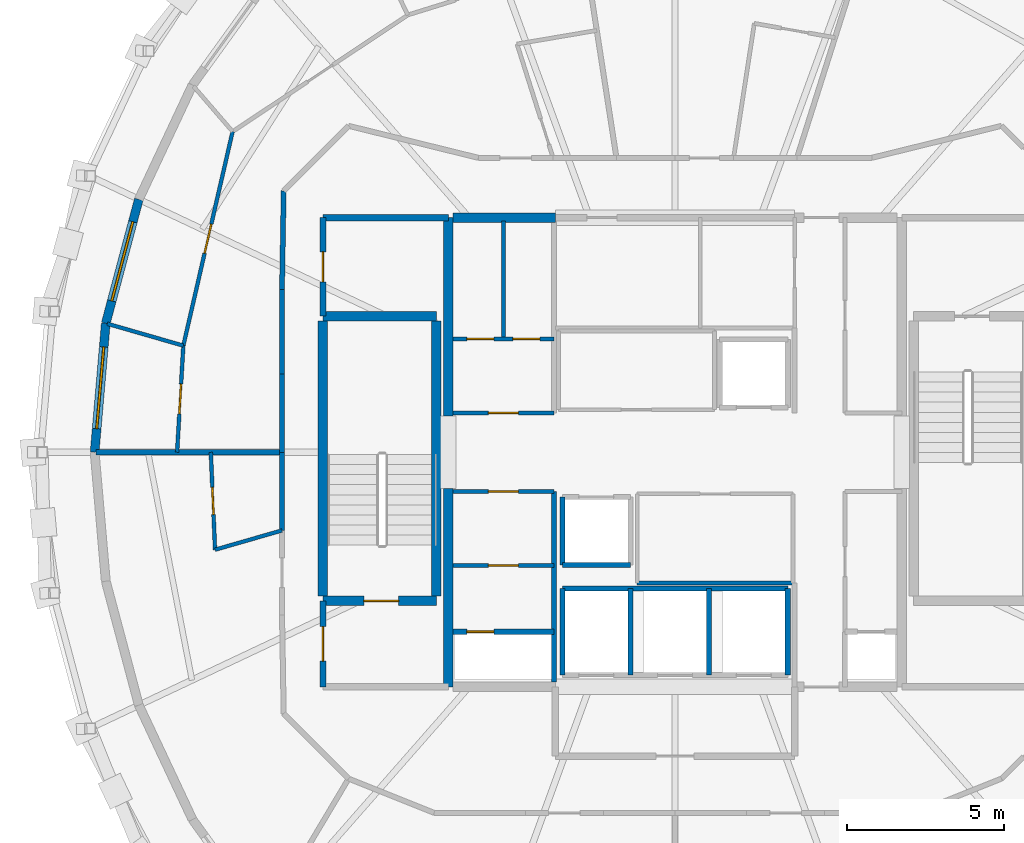
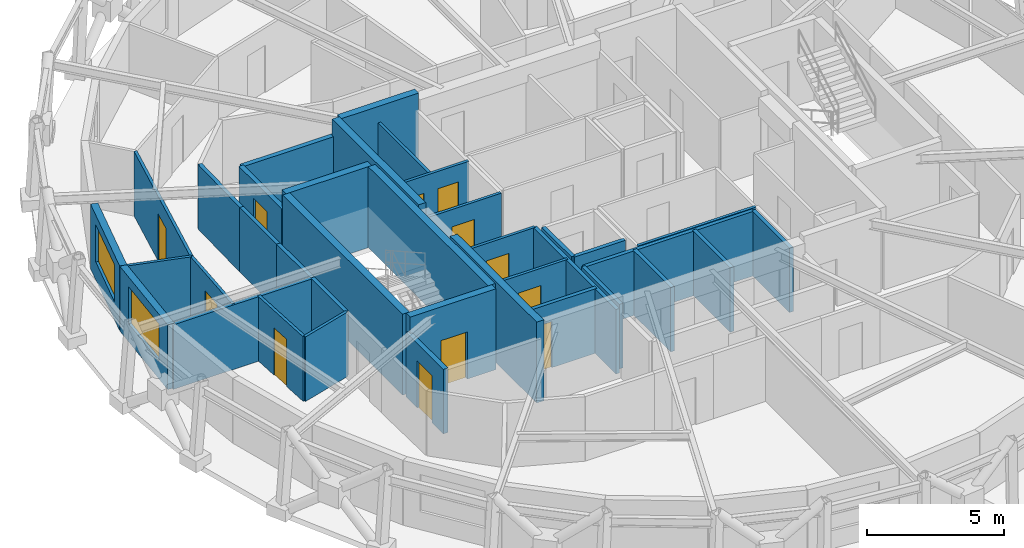
# One storey, part 12 of 16: 37 walls, 12 doors, 2 windows, 14 openings.
"""IFC4 building model written with IfcOpenShell, lengths in metres."""

from ifc_helpers import new_model, si_unit, direction, frame, frame_2d, origin, place, context, subcontext, project, spatial, rectangle, extrude, material, layer, layer_set, type_object, element, fill, save


model = new_model("IFC4")

# Units and contexts
model_context = context("Model", 3, precision=1e-05, world=origin(), true_north=direction((0.0, 1.0)))
body_context = subcontext(model_context, "Body", "Model", "MODEL_VIEW")
ifc_project = project(units=[si_unit("LENGTHUNIT", "METRE"), si_unit("AREAUNIT", "SQUARE_METRE"), si_unit("VOLUMEUNIT", "CUBIC_METRE"), si_unit("PLANEANGLEUNIT", "RADIAN"), si_unit("MASSUNIT", "GRAM", prefix="KILO")], contexts=[model_context])

# Site, building, storey
site_placement = place(None, origin())
site = spatial("IfcSite", under=ifc_project, at=site_placement, CompositionType="ELEMENT")
building_placement = place(site_placement, origin())
building = spatial("IfcBuilding", under=site, at=building_placement, Name="Veldorina Hangang Commons", CompositionType="ELEMENT")
storey_placement = place(building_placement, frame((0.0, 0.0, 283.199951171875)))
storey = spatial("IfcBuildingStorey", under=building, at=storey_placement, Name="L74", CompositionType="ELEMENT", Elevation=283.199951171875)

# Walls
ifc_material_1 = material(Name="Concrete C50/60", Category="concrete")
ifc_layer_1 = layer(ifc_material_1, 0.300048828125)
ifc_layer_set_1 = layer_set([ifc_layer_1], Name="Concrete C50/60")
wall_type_1 = type_object("IfcWallType", Name="CW-RC300-C50", PredefinedType="SHEAR", material=ifc_layer_set_1)
for number, where, z_axis, x_axis, name in (
    (1, (24.800048828125, 16.550048828125, 0.0), (0.0, 0.0, 1.0), (0.0, 1.0, 0.0), "L74 W south core shear wall"),
    (2, (24.800048828125, 25.14990234375, 0.0), (0.0, 0.0, 1.0), (0.0, 1.0, 0.0), "L74 W north core shear wall"),
):
    element("IfcWall", number, at=place(storey_placement, frame(where, z_axis=z_axis, x_axis=x_axis)), inside=storey, type_object=wall_type_1, Name=name, PredefinedType="SHEAR", context=body_context, shape_type="SweptSolid", body=[
        extrude(rectangle(XDim=6.300048828125, YDim=0.300048828125, at=frame_2d((3.14990234375, 0.0))), origin(), (0.0, 0.0, 1.0), 3.60009765625),
    ])
wall_1_placement = place(storey_placement, frame((24.949951171875, 31.449951171875, 0.0), z_axis=(0.0, 0.0, 1.0), x_axis=(1.0, 0.0, 0.0)))
element("IfcWall", 3, at=wall_1_placement, inside=storey, type_object=wall_type_1, Name="L74 north-west core shear wall", PredefinedType="SHEAR", context=body_context, shape_type="SweptSolid", body=[
    extrude(rectangle(XDim=3.25, YDim=0.300048828125, at=frame_2d((1.625, 0.0))), origin(), (0.0, 0.0, 1.0), 3.60009765625),
])

# Wall, opening, window
ifc_material_2 = material(Name="Stone Roman Travertine", Category="masonry")
ifc_layer_2 = layer(ifc_material_2, 0.280029296875)
ifc_layer_set_2 = layer_set([ifc_layer_2], Name="Stone Roman Travertine")
wall_type_2 = type_object("IfcWallType", Name="EW-TRAV-280", PredefinedType="STANDARD", material=ifc_layer_set_2)
wall_2_placement = place(storey_placement, frame((14.97314453125, 32.031982421875, 0.0), z_axis=(0.0, 0.0, 1.0), x_axis=(-0.257409045533, -0.966302531963, 0.0)))
wall_2 = element("IfcWall", 4, at=wall_2_placement, inside=storey, type_object=wall_type_2, Name="L74 travertine facade wall 14", PredefinedType="STANDARD", context=body_context, shape_type="SweptSolid", body=[
    extrude(rectangle(XDim=4.074462890625, YDim=0.280029296875, at=frame_2d((2.037109375, 0.0))), origin(), (0.0, 0.0, 1.0), 2.880126953125),
])
opening_1_placement = place(wall_2_placement, frame((0.7373046875, 0.0, 0.800048828125)))
opening_1 = element("IfcOpeningElement", 5, at=opening_1_placement, cuts=wall_2, Name="Opening W-02", PredefinedType="OPENING", context=body_context, shape_type="SweptSolid", body=[
    extrude(rectangle(XDim=2.60009765625, YDim=1.64990234375, at=frame_2d((1.300048828125, 0.824951171875))), frame((0.0, 0.14990234375, 0.0), z_axis=(0.0, -1.0, 0.0), x_axis=(1.0, 0.0, 0.0)), (0.0, 0.0, 1.0), 0.300048828125),
])
ifc_material_3 = material(Name="Glass Low-E Triple IGU", Category="glass")
window_type = type_object("IfcWindowType", Name="WIN-TWR-2600", PartitioningType="SINGLE_PANEL", PredefinedType="WINDOW", material=ifc_material_3)
window_1_placement = place(opening_1_placement, origin())
window_1 = element("IfcWindow", 6, at=window_1_placement, inside=storey, type_object=window_type, Name="L74 facade window 14", OverallHeight=1.64990234375, OverallWidth=2.60009765625, PartitioningType="SINGLE_PANEL", PredefinedType="WINDOW", context=body_context, shape_type="SweptSolid", body=[
    extrude(rectangle(XDim=2.60009765625, YDim=1.64990234375, at=frame_2d((1.300048828125, 0.824951171875))), frame((0.0, 0.030029296875, 0.0), z_axis=(0.0, -1.0, 0.0), x_axis=(1.0, 0.0, 0.0)), (0.0, 0.0, 1.0), 0.06005859375),
])
fill(opening_1, window_1)

wall_3_placement = place(storey_placement, frame((13.92431640625, 28.0947265625, 0.0), z_axis=(0.0, 0.0, 1.0), x_axis=(-0.086132326102, -0.996283705779, 0.0)))
wall_3 = element("IfcWall", 7, at=wall_3_placement, inside=storey, type_object=wall_type_2, Name="L74 travertine facade wall 15", PredefinedType="STANDARD", context=body_context, shape_type="SweptSolid", body=[
    extrude(rectangle(XDim=4.110107421875, YDim=0.280029296875, at=frame_2d((2.05517578125, 0.0))), origin(), (0.0, 0.0, 1.0), 2.880126953125),
])
opening_2_placement = place(wall_3_placement, frame((0.7548828125, 0.0, 0.800048828125)))
opening_2 = element("IfcOpeningElement", 8, at=opening_2_placement, cuts=wall_3, Name="Opening W-02", PredefinedType="OPENING", context=body_context, shape_type="SweptSolid", body=[
    extrude(rectangle(XDim=2.60009765625, YDim=1.64990234375, at=frame_2d((1.300048828125, 0.824951171875))), frame((0.0, 0.14990234375, 0.0), z_axis=(0.0, -1.0, 0.0), x_axis=(1.0, 0.0, 0.0)), (0.0, 0.0, 1.0), 0.300048828125),
])
window_2_placement = place(opening_2_placement, origin())
window_2 = element("IfcWindow", 9, at=window_2_placement, inside=storey, type_object=window_type, Name="L74 facade window 15", OverallHeight=1.64990234375, OverallWidth=2.60009765625, PartitioningType="SINGLE_PANEL", PredefinedType="WINDOW", context=body_context, shape_type="SweptSolid", body=[
    extrude(rectangle(XDim=2.60009765625, YDim=1.64990234375, at=frame_2d((1.300048828125, 0.824951171875))), frame((0.0, 0.030029296875, 0.0), z_axis=(0.0, -1.0, 0.0), x_axis=(1.0, 0.0, 0.0)), (0.0, 0.0, 1.0), 0.06005859375),
])
fill(opening_2, window_2)

# Walls
ifc_layer_3 = layer(ifc_material_1, 0.300048828125)
ifc_layer_set_3 = layer_set([ifc_layer_3], Name="Concrete C50/60")
wall_type_3 = type_object("IfcWallType", Name="SW-STAIR-300", PredefinedType="SHEAR", material=ifc_layer_set_3)
for number, where, z_axis, x_axis, name in (
    (10, (20.820068359375, 19.429931640625, 0.0), (0.0, 0.0, 1.0), (0.0, 1.0, 0.0), "L74 ST1 outer stair shear wall"),
    (11, (24.419921875, 19.429931640625, 0.0), (0.0, 0.0, 1.0), (0.0, 1.0, 0.0), "L74 ST1 inner stair shear wall"),
):
    element("IfcWall", number, at=place(storey_placement, frame(where, z_axis=z_axis, x_axis=x_axis)), inside=storey, type_object=wall_type_3, Name=name, PredefinedType="SHEAR", context=body_context, shape_type="SweptSolid", body=[
        extrude(rectangle(XDim=8.739990234375, YDim=0.300048828125, at=frame_2d((4.3701171875, 0.0))), origin(), (0.0, 0.0, 1.0), 3.60009765625),
    ])

# Wall, opening, door
wall_4_placement = place(storey_placement, frame((20.820068359375, 19.280029296875, 0.0), z_axis=(0.0, 0.0, 1.0), x_axis=(1.0, 0.0, 0.0)))
wall_4 = element("IfcWall", 12, at=wall_4_placement, inside=storey, type_object=wall_type_3, Name="L74 ST1 south stair shear wall", PredefinedType="SHEAR", context=body_context, shape_type="SweptSolid", body=[
    extrude(rectangle(XDim=3.599853515625, YDim=0.300048828125, at=frame_2d((1.7998046875, 0.0))), origin(), (0.0, 0.0, 1.0), 3.60009765625),
])
opening_3_placement = place(wall_4_placement, frame((1.300048828125, 0.0, 0.0)))
opening_3 = element("IfcOpeningElement", 13, at=opening_3_placement, cuts=wall_4, Name="Opening D-08", PredefinedType="OPENING", context=body_context, shape_type="SweptSolid", body=[
    extrude(rectangle(XDim=1.10009765625, YDim=2.10009765625, at=frame_2d((0.550048828125, 1.050048828125))), frame((0.0, 0.16015625, 0.0), z_axis=(0.0, -1.0, 0.0), x_axis=(1.0, 0.0, 0.0)), (0.0, 0.0, 1.0), 0.320068359375),
])
ifc_material_4 = material(Name="Steel Fire-Rated Smoke Seal", Category="steel")
door_type_1 = type_object("IfcDoorType", Name="DR-FIRE-1100", OperationType="SINGLE_SWING_RIGHT", PredefinedType="DOOR", material=ifc_material_4)
door_1_placement = place(opening_3_placement, origin())
door_1 = element("IfcDoor", 14, at=door_1_placement, inside=storey, type_object=door_type_1, Name="L74 Special Escape Stair ST-1 door", OperationType="SINGLE_SWING_LEFT", OverallHeight=2.10009765625, OverallWidth=1.10009765625, PredefinedType="DOOR", context=body_context, shape_type="SweptSolid", body=[
    extrude(rectangle(XDim=1.10009765625, YDim=2.10009765625, at=frame_2d((0.550048828125, 1.050048828125))), frame((0.0, 0.02490234375, 0.0), z_axis=(0.0, -1.0, 0.0), x_axis=(1.0, 0.0, 0.0)), (0.0, 0.0, 1.0), 0.050048828125),
])
fill(opening_3, door_1)

# Walls
wall_5_placement = place(storey_placement, frame((20.820068359375, 28.320068359375, 0.0), z_axis=(0.0, 0.0, 1.0), x_axis=(1.0, 0.0, 0.0)))
element("IfcWall", 15, at=wall_5_placement, inside=storey, type_object=wall_type_3, Name="L74 ST1 north stair shear wall", PredefinedType="SHEAR", context=body_context, shape_type="SweptSolid", body=[
    extrude(rectangle(XDim=3.599853515625, YDim=0.300048828125, at=frame_2d((1.7998046875, 0.0))), origin(), (0.0, 0.0, 1.0), 3.60009765625),
])
ifc_material_5 = material(Name="Gypsum Fire-Rated Twin Stud Wall", Category="gypsum")
ifc_layer_4 = layer(ifc_material_5, 0.159912109375)
ifc_layer_set_4 = layer_set([ifc_layer_4], Name="Gypsum Fire-Rated Twin Stud Wall")
wall_type_4 = type_object("IfcWallType", Name="WL-FIRE-160", PredefinedType="SOLIDWALL", material=ifc_layer_set_4)
for number, where, z_axis, x_axis, name in (
    (16, (28.419921875, 20.419921875, 0.0), (0.0, 0.0, 1.0), (1.0, 0.0, 0.0), "L74 Shuttle-high rear shaft wall 020"),
    (17, (28.419921875, 20.419921875, 0.0), (0.0, 0.0, 1.0), (0.0, 1.0, 0.0), "L74 PL-H2 west shaft wall 021"),
):
    element("IfcWall", number, at=place(storey_placement, frame(where, z_axis=z_axis, x_axis=x_axis)), inside=storey, type_object=wall_type_4, Name=name, PredefinedType="SOLIDWALL", context=body_context, shape_type="SweptSolid", body=[
        extrude(rectangle(XDim=2.16015625, YDim=0.159912109375, at=frame_2d((1.080078125, 0.0))), origin(), (0.0, 0.0, 1.0), 2.8701171875),
    ])
wall_6_placement = place(storey_placement, frame((28.419921875, 19.679931640625, 0.0), z_axis=(0.0, 0.0, 1.0), x_axis=(1.0, 0.0, 0.0)))
element("IfcWall", 18, at=wall_6_placement, inside=storey, type_object=wall_type_4, Name="L74 Emergency rear shaft wall 024", PredefinedType="SOLIDWALL", context=body_context, shape_type="SweptSolid", body=[
    extrude(rectangle(XDim=7.16015625, YDim=0.159912109375, at=frame_2d((3.580078125, 0.0))), origin(), (0.0, 0.0, 1.0), 2.8701171875),
])
for number, where, z_axis, x_axis, name in (
    (19, (28.419921875, 16.919921875, 0.0), (0.0, 0.0, 1.0), (0.0, 1.0, 0.0), "L74 FFL-1 west shaft wall 025"),
    (20, (30.580078125, 16.919921875, 0.0), (0.0, 0.0, 1.0), (0.0, 1.0, 0.0), "L74 FFL-1 east shaft wall 026"),
    (21, (33.080078125, 16.919921875, 0.0), (0.0, 0.0, 1.0), (0.0, 1.0, 0.0), "L74 FFL-2 east shaft wall 027"),
    (22, (35.580078125, 16.919921875, 0.0), (0.0, 0.0, 1.0), (0.0, 1.0, 0.0), "L74 EVL-1 east shaft wall 028"),
):
    element("IfcWall", number, at=place(storey_placement, frame(where, z_axis=z_axis, x_axis=x_axis)), inside=storey, type_object=wall_type_4, Name=name, PredefinedType="SOLIDWALL", context=body_context, shape_type="SweptSolid", body=[
        extrude(rectangle(XDim=2.760009765625, YDim=0.159912109375, at=frame_2d((1.3798828125, 0.0))), origin(), (0.0, 0.0, 1.0), 2.8701171875),
    ])

# Wall, opening, door
wall_7_placement = place(storey_placement, frame((24.949951171875, 18.300048828125, 0.0), z_axis=(0.0, 0.0, 1.0), x_axis=(1.0, 0.0, 0.0)))
wall_7 = element("IfcWall", 23, at=wall_7_placement, inside=storey, type_object=wall_type_4, Name="L74 Electrical riser wall 041", PredefinedType="SOLIDWALL", context=body_context, shape_type="SweptSolid", body=[
    extrude(rectangle(XDim=3.199951171875, YDim=0.159912109375, at=frame_2d((1.60009765625, 0.0))), origin(), (0.0, 0.0, 1.0), 2.8701171875),
])
opening_4_placement = place(wall_7_placement, frame((0.43994140625, 0.0, 0.0)))
opening_4 = element("IfcOpeningElement", 24, at=opening_4_placement, cuts=wall_7, Name="Opening D-12", PredefinedType="OPENING", context=body_context, shape_type="SweptSolid", body=[
    extrude(rectangle(XDim=0.860107421875, YDim=2.050048828125, at=frame_2d((0.43017578125, 1.02490234375))), frame((0.0, 0.08984375, 0.0), z_axis=(0.0, -1.0, 0.0), x_axis=(1.0, 0.0, 0.0)), (0.0, 0.0, 1.0), 0.179931640625),
])
ifc_material_6 = material(Name="Steel Insulated Riser Access", Category="steel")
door_type_2 = type_object("IfcDoorType", Name="DR-TRAP-860", OperationType="SINGLE_SWING_LEFT", PredefinedType="TRAPDOOR", material=ifc_material_6)
door_2_placement = place(opening_4_placement, origin())
door_2 = element("IfcDoor", 25, at=door_2_placement, inside=storey, type_object=door_type_2, Name="L74 Electrical riser access door 015", OperationType="SINGLE_SWING_LEFT", OverallHeight=2.050048828125, OverallWidth=0.860107421875, PredefinedType="TRAPDOOR", context=body_context, shape_type="SweptSolid", body=[
    extrude(rectangle(XDim=0.860107421875, YDim=2.050048828125, at=frame_2d((0.43017578125, 1.02490234375))), frame((0.0, 0.02490234375, 0.0), z_axis=(0.0, -1.0, 0.0), x_axis=(1.0, 0.0, 0.0)), (0.0, 0.0, 1.0), 0.050048828125),
])
fill(opening_4, door_2)

# Walls
wall_8_placement = place(storey_placement, frame((28.14990234375, 16.699951171875, 0.0), z_axis=(0.0, 0.0, 1.0), x_axis=(0.0, 1.0, 0.0)))
element("IfcWall", 26, at=wall_8_placement, inside=storey, type_object=wall_type_4, Name="L74 SW core inner wall 042", PredefinedType="SOLIDWALL", context=body_context, shape_type="SweptSolid", body=[
    extrude(rectangle(XDim=6.050048828125, YDim=0.159912109375, at=frame_2d((3.02490234375, 0.0))), origin(), (0.0, 0.0, 1.0), 2.8701171875),
])
wall_9_placement = place(storey_placement, frame((19.5732421875, 32.30322265625, 0.0), z_axis=(0.0, 0.0, 1.0), x_axis=(-0.016981035134, -0.999855811828, 0.0)))
element("IfcWall", 27, at=wall_9_placement, inside=storey, type_object=wall_type_4, Name="L74 Compact collar outer wall 13 067", PredefinedType="SOLIDWALL", context=body_context, shape_type="SweptSolid", body=[
    extrude(rectangle(XDim=3.13427734375, YDim=0.159912109375, at=frame_2d((1.567138671875, 0.0))), origin(), (0.0, 0.0, 1.0), 2.8701171875),
])
wall_10_placement = place(storey_placement, frame((19.52001953125, 29.16943359375, 0.0), z_axis=(0.0, 0.0, 1.0), x_axis=(0.0, -1.0, 0.0)))
element("IfcWall", 28, at=wall_10_placement, inside=storey, type_object=wall_type_4, Name="L74 Compact collar outer wall 14 068", PredefinedType="SOLIDWALL", context=body_context, shape_type="SweptSolid", body=[
    extrude(rectangle(XDim=2.68701171875, YDim=0.159912109375, at=frame_2d((1.343505859375, 0.0))), origin(), (0.0, 0.0, 1.0), 2.8701171875),
])
for number, where, z_axis, x_axis, name in (
    (29, (19.52001953125, 26.482421875, 0.0), (0.0, 0.0, 1.0), (0.0, -1.0, 0.0), "L74 Compact collar outer wall 15 069"),
    (30, (19.52001953125, 24.0, 0.0), (0.0, 0.0, 1.0), (0.0, -1.0, 0.0), "L74 Compact collar outer wall 16 070"),
):
    element("IfcWall", number, at=place(storey_placement, frame(where, z_axis=z_axis, x_axis=x_axis)), inside=storey, type_object=wall_type_4, Name=name, PredefinedType="SOLIDWALL", context=body_context, shape_type="SweptSolid", body=[
        extrude(rectangle(XDim=2.482421875, YDim=0.159912109375, at=frame_2d((1.2412109375, 0.0))), origin(), (0.0, 0.0, 1.0), 2.8701171875),
    ])
wall_11_placement = place(storey_placement, frame((19.52001953125, 24.0, 0.0), z_axis=(0.0, 0.0, 1.0), x_axis=(-1.0, 0.0, 0.0)))
element("IfcWall", 31, at=wall_11_placement, inside=storey, type_object=wall_type_4, Name="L74 Unit party wall 16 103", PredefinedType="SOLIDWALL", context=body_context, shape_type="SweptSolid", body=[
    extrude(rectangle(XDim=5.899658203125, YDim=0.159912109375, at=frame_2d((2.94970703125, 0.0))), origin(), (0.0, 0.0, 1.0), 2.8701171875),
])

# Wall, opening, door
ifc_material_7 = material(Name="Concrete Blockwork Fire Wall C30/37", Category="masonry")
ifc_layer_5 = layer(ifc_material_7, 0.199951171875)
ifc_layer_set_5 = layer_set([ifc_layer_5], Name="Concrete Blockwork Fire Wall C30/37")
wall_type_5 = type_object("IfcWallType", Name="WL-FIRE-200", PredefinedType="SOLIDWALL", material=ifc_layer_set_5)
wall_12_placement = place(storey_placement, frame((20.820068359375, 16.550048828125, 0.0), z_axis=(0.0, 0.0, 1.0), x_axis=(0.0, 1.0, 0.0)))
wall_12 = element("IfcWall", 32, at=wall_12_placement, inside=storey, type_object=wall_type_5, Name="L74 West vestibule outer wall 001", PredefinedType="SOLIDWALL", context=body_context, shape_type="SweptSolid", body=[
    extrude(rectangle(XDim=2.72998046875, YDim=0.199951171875, at=frame_2d((1.364990234375, 0.0))), origin(), (0.0, 0.0, 1.0), 2.8701171875),
])
opening_5_placement = place(wall_12_placement, frame((0.81494140625, 0.0, 0.0)))
opening_5 = element("IfcOpeningElement", 33, at=opening_5_placement, cuts=wall_12, Name="Opening D-08", PredefinedType="OPENING", context=body_context, shape_type="SweptSolid", body=[
    extrude(rectangle(XDim=1.10009765625, YDim=2.10009765625, at=frame_2d((0.550048828125, 1.050048828125))), frame((0.0, 0.10986328125, 0.0), z_axis=(0.0, -1.0, 0.0), x_axis=(1.0, 0.0, 0.0)), (0.0, 0.0, 1.0), 0.219970703125),
])
door_3_placement = place(opening_5_placement, origin())
door_3 = element("IfcDoor", 34, at=door_3_placement, inside=storey, type_object=door_type_1, Name="L74 West vestibule west door 001", OperationType="SINGLE_SWING_LEFT", OverallHeight=2.10009765625, OverallWidth=1.10009765625, PredefinedType="DOOR", context=body_context, shape_type="SweptSolid", body=[
    extrude(rectangle(XDim=1.10009765625, YDim=2.10009765625, at=frame_2d((0.550048828125, 1.050048828125))), frame((0.0, 0.02490234375, 0.0), z_axis=(0.0, -1.0, 0.0), x_axis=(1.0, 0.0, 0.0)), (0.0, 0.0, 1.0), 0.050048828125),
])
fill(opening_5, door_3)

wall_13_placement = place(storey_placement, frame((20.820068359375, 28.320068359375, 0.0), z_axis=(0.0, 0.0, 1.0), x_axis=(0.0, 1.0, 0.0)))
wall_13 = element("IfcWall", 35, at=wall_13_placement, inside=storey, type_object=wall_type_5, Name="L74 NW core room outer wall 005", PredefinedType="SOLIDWALL", context=body_context, shape_type="SweptSolid", body=[
    extrude(rectangle(XDim=3.1298828125, YDim=0.199951171875, at=frame_2d((1.56494140625, 0.0))), origin(), (0.0, 0.0, 1.0), 2.8701171875),
])
opening_6_placement = place(wall_13_placement, frame((1.090087890625, 0.0, 0.0)))
opening_6 = element("IfcOpeningElement", 36, at=opening_6_placement, cuts=wall_13, Name="Opening D-04", PredefinedType="OPENING", context=body_context, shape_type="SweptSolid", body=[
    extrude(rectangle(XDim=0.949951171875, YDim=2.10009765625, at=frame_2d((0.47509765625, 1.050048828125))), frame((0.0, 0.10986328125, 0.0), z_axis=(0.0, -1.0, 0.0), x_axis=(1.0, 0.0, 0.0)), (0.0, 0.0, 1.0), 0.219970703125),
])
ifc_material_8 = material(Name="Timber Accessible Flush Leaf", Category="wood")
door_type_3 = type_object("IfcDoorType", Name="DR-ACC-950", OperationType="SINGLE_SWING_LEFT", PredefinedType="DOOR", material=ifc_material_8)
door_4_placement = place(opening_6_placement, origin())
door_4 = element("IfcDoor", 37, at=door_4_placement, inside=storey, type_object=door_type_3, Name="L74 NW core WC door 003", OperationType="SINGLE_SWING_LEFT", OverallHeight=2.10009765625, OverallWidth=0.949951171875, PredefinedType="DOOR", context=body_context, shape_type="SweptSolid", body=[
    extrude(rectangle(XDim=0.949951171875, YDim=2.10009765625, at=frame_2d((0.47509765625, 1.050048828125))), frame((0.0, 0.02490234375, 0.0), z_axis=(0.0, -1.0, 0.0), x_axis=(1.0, 0.0, 0.0)), (0.0, 0.0, 1.0), 0.050048828125),
])
fill(opening_6, door_4)

# Walls
wall_14_placement = place(storey_placement, frame((20.820068359375, 31.449951171875, 0.0), z_axis=(0.0, 0.0, 1.0), x_axis=(1.0, 0.0, 0.0)))
element("IfcWall", 38, at=wall_14_placement, inside=storey, type_object=wall_type_5, Name="L74 NW core room north wall 006", PredefinedType="SOLIDWALL", context=body_context, shape_type="SweptSolid", body=[
    extrude(rectangle(XDim=3.97998046875, YDim=0.199951171875, at=frame_2d((1.989990234375, 0.0))), origin(), (0.0, 0.0, 1.0), 2.8701171875),
])
ifc_material_9 = material(Name="Gypsum Acoustic Stud Partition", Category="gypsum")
ifc_layer_6 = layer(ifc_material_9, 0.1201171875)
ifc_layer_set_6 = layer_set([ifc_layer_6], Name="Gypsum Acoustic Stud Partition")
wall_type_6 = type_object("IfcWallType", Name="WL-PART-120", PredefinedType="PARTITIONING", material=ifc_layer_set_6)
wall_15_placement = place(storey_placement, frame((30.800048828125, 19.85009765625, 0.0), z_axis=(0.0, 0.0, 1.0), x_axis=(1.0, 0.0, 0.0)))
element("IfcWall", 39, at=wall_15_placement, inside=storey, type_object=wall_type_6, Name="L74 Merged shuttle south wall 038", PredefinedType="PARTITIONING", context=body_context, shape_type="SweptSolid", body=[
    extrude(rectangle(XDim=4.949951171875, YDim=0.1201171875, at=frame_2d((2.47509765625, 0.0))), origin(), (0.0, 0.0, 1.0), 2.8701171875),
])

# Wall, opening, door
wall_16_placement = place(storey_placement, frame((24.949951171875, 25.25, 0.0), z_axis=(0.0, 0.0, 1.0), x_axis=(1.0, 0.0, 0.0)))
wall_16 = element("IfcWall", 40, at=wall_16_placement, inside=storey, type_object=wall_type_6, Name="L74 NW service south wall 045", PredefinedType="PARTITIONING", context=body_context, shape_type="SweptSolid", body=[
    extrude(rectangle(XDim=3.199951171875, YDim=0.1201171875, at=frame_2d((1.60009765625, 0.0))), origin(), (0.0, 0.0, 1.0), 2.8701171875),
])
opening_7_placement = place(wall_16_placement, frame((1.125, 0.0, 0.0)))
opening_7 = element("IfcOpeningElement", 41, at=opening_7_placement, cuts=wall_16, Name="Opening D-02", PredefinedType="OPENING", context=body_context, shape_type="SweptSolid", body=[
    extrude(rectangle(XDim=0.949951171875, YDim=2.10009765625, at=frame_2d((0.47509765625, 1.050048828125))), frame((0.0, 0.070068359375, 0.0), z_axis=(0.0, -1.0, 0.0), x_axis=(1.0, 0.0, 0.0)), (0.0, 0.0, 1.0), 0.14013671875),
])
ifc_material_10 = material(Name="Timber Solid Core Acoustic", Category="wood")
door_type_4 = type_object("IfcDoorType", Name="DR-INT-950", OperationType="SINGLE_SWING_LEFT", PredefinedType="DOOR", material=ifc_material_10)
door_5_placement = place(opening_7_placement, origin())
door_5 = element("IfcDoor", 42, at=door_5_placement, inside=storey, type_object=door_type_4, Name="L74 Utility vestibule door 017", OperationType="SINGLE_SWING_LEFT", OverallHeight=2.10009765625, OverallWidth=0.949951171875, PredefinedType="DOOR", context=body_context, shape_type="SweptSolid", body=[
    extrude(rectangle(XDim=0.949951171875, YDim=2.10009765625, at=frame_2d((0.47509765625, 1.050048828125))), frame((0.0, 0.02490234375, 0.0), z_axis=(0.0, -1.0, 0.0), x_axis=(1.0, 0.0, 0.0)), (0.0, 0.0, 1.0), 0.050048828125),
])
fill(opening_7, door_5)

wall_17_placement = place(storey_placement, frame((24.949951171875, 22.75, 0.0), z_axis=(0.0, 0.0, 1.0), x_axis=(1.0, 0.0, 0.0)))
wall_17 = element("IfcWall", 43, at=wall_17_placement, inside=storey, type_object=wall_type_6, Name="L74 SW service north wall 046", PredefinedType="PARTITIONING", context=body_context, shape_type="SweptSolid", body=[
    extrude(rectangle(XDim=3.199951171875, YDim=0.1201171875, at=frame_2d((1.60009765625, 0.0))), origin(), (0.0, 0.0, 1.0), 2.8701171875),
])
opening_8_placement = place(wall_17_placement, frame((1.125, 0.0, 0.0)))
opening_8 = element("IfcOpeningElement", 44, at=opening_8_placement, cuts=wall_17, Name="Opening D-02", PredefinedType="OPENING", context=body_context, shape_type="SweptSolid", body=[
    extrude(rectangle(XDim=0.949951171875, YDim=2.10009765625, at=frame_2d((0.47509765625, 1.050048828125))), frame((0.0, 0.070068359375, 0.0), z_axis=(0.0, -1.0, 0.0), x_axis=(1.0, 0.0, 0.0)), (0.0, 0.0, 1.0), 0.14013671875),
])
door_6_placement = place(opening_8_placement, origin())
door_6 = element("IfcDoor", 45, at=door_6_placement, inside=storey, type_object=door_type_4, Name="L74 Recycling room door 020", OperationType="SINGLE_SWING_RIGHT", OverallHeight=2.10009765625, OverallWidth=0.949951171875, PredefinedType="DOOR", context=body_context, shape_type="SweptSolid", body=[
    extrude(rectangle(XDim=0.949951171875, YDim=2.10009765625, at=frame_2d((0.47509765625, 1.050048828125))), frame((0.0, 0.02490234375, 0.0), z_axis=(0.0, -1.0, 0.0), x_axis=(1.0, 0.0, 0.0)), (0.0, 0.0, 1.0), 0.050048828125),
])
fill(opening_8, door_6)

# Wall, openings, doors
wall_18_placement = place(storey_placement, frame((24.949951171875, 27.60009765625, 0.0), z_axis=(0.0, 0.0, 1.0), x_axis=(1.0, 0.0, 0.0)))
wall_18 = element("IfcWall", 46, at=wall_18_placement, inside=storey, type_object=wall_type_6, Name="L74 NW lower split 051", PredefinedType="PARTITIONING", context=body_context, shape_type="SweptSolid", body=[
    extrude(rectangle(XDim=3.199951171875, YDim=0.1201171875, at=frame_2d((1.60009765625, 0.0))), origin(), (0.0, 0.0, 1.0), 2.8701171875),
])
opening_9_placement = place(wall_18_placement, frame((0.43994140625, 0.0, 0.0)))
opening_9 = element("IfcOpeningElement", 47, at=opening_9_placement, cuts=wall_18, Name="Opening D-01", PredefinedType="OPENING", context=body_context, shape_type="SweptSolid", body=[
    extrude(rectangle(XDim=0.860107421875, YDim=2.10009765625, at=frame_2d((0.43017578125, 1.050048828125))), frame((0.0, 0.070068359375, 0.0), z_axis=(0.0, -1.0, 0.0), x_axis=(1.0, 0.0, 0.0)), (0.0, 0.0, 1.0), 0.14013671875),
])
opening_10_placement = place(wall_18_placement, frame((1.89990234375, 0.0, 0.0)))
opening_10 = element("IfcOpeningElement", 48, at=opening_10_placement, cuts=wall_18, Name="Opening D-01", PredefinedType="OPENING", context=body_context, shape_type="SweptSolid", body=[
    extrude(rectangle(XDim=0.860107421875, YDim=2.10009765625, at=frame_2d((0.43017578125, 1.050048828125))), frame((0.0, 0.070068359375, 0.0), z_axis=(0.0, -1.0, 0.0), x_axis=(1.0, 0.0, 0.0)), (0.0, 0.0, 1.0), 0.14013671875),
])
ifc_material_11 = material(Name="Timber Moisture-Resistant Core", Category="wood")
door_type_5 = type_object("IfcDoorType", Name="DR-WET-860", OperationType="SINGLE_SWING_LEFT", PredefinedType="DOOR", material=ifc_material_11)
door_7_placement = place(opening_9_placement, origin())
door_7 = element("IfcDoor", 49, at=door_7_placement, inside=storey, type_object=door_type_5, Name="L74 Store A door 018", OperationType="SINGLE_SWING_RIGHT", OverallHeight=2.10009765625, OverallWidth=0.860107421875, PredefinedType="DOOR", context=body_context, shape_type="SweptSolid", body=[
    extrude(rectangle(XDim=0.860107421875, YDim=2.10009765625, at=frame_2d((0.43017578125, 1.050048828125))), frame((0.0, 0.02490234375, 0.0), z_axis=(0.0, -1.0, 0.0), x_axis=(1.0, 0.0, 0.0)), (0.0, 0.0, 1.0), 0.050048828125),
])
fill(opening_9, door_7)
door_8_placement = place(opening_10_placement, origin())
door_8 = element("IfcDoor", 50, at=door_8_placement, inside=storey, type_object=door_type_5, Name="L74 Store B door 019", OperationType="SINGLE_SWING_LEFT", OverallHeight=2.10009765625, OverallWidth=0.860107421875, PredefinedType="DOOR", context=body_context, shape_type="SweptSolid", body=[
    extrude(rectangle(XDim=0.860107421875, YDim=2.10009765625, at=frame_2d((0.43017578125, 1.050048828125))), frame((0.0, 0.02490234375, 0.0), z_axis=(0.0, -1.0, 0.0), x_axis=(1.0, 0.0, 0.0)), (0.0, 0.0, 1.0), 0.050048828125),
])
fill(opening_10, door_8)

# Wall
wall_19_placement = place(storey_placement, frame((26.550048828125, 27.60009765625, 0.0), z_axis=(0.0, 0.0, 1.0), x_axis=(0.0, 1.0, 0.0)))
element("IfcWall", 51, at=wall_19_placement, inside=storey, type_object=wall_type_6, Name="L74 NW upper vertical split 052", PredefinedType="PARTITIONING", context=body_context, shape_type="SweptSolid", body=[
    extrude(rectangle(XDim=3.75, YDim=0.1201171875, at=frame_2d((1.875, 0.0))), origin(), (0.0, 0.0, 1.0), 2.8701171875),
])

# Wall, opening, door
wall_20_placement = place(storey_placement, frame((24.949951171875, 20.39990234375, 0.0), z_axis=(0.0, 0.0, 1.0), x_axis=(1.0, 0.0, 0.0)))
wall_20 = element("IfcWall", 52, at=wall_20_placement, inside=storey, type_object=wall_type_6, Name="L74 SW horizontal split 053", PredefinedType="PARTITIONING", context=body_context, shape_type="SweptSolid", body=[
    extrude(rectangle(XDim=3.199951171875, YDim=0.1201171875, at=frame_2d((1.60009765625, 0.0))), origin(), (0.0, 0.0, 1.0), 2.8701171875),
])
opening_11_placement = place(wall_20_placement, frame((1.125, 0.0, 0.0)))
opening_11 = element("IfcOpeningElement", 53, at=opening_11_placement, cuts=wall_20, Name="Opening D-02", PredefinedType="OPENING", context=body_context, shape_type="SweptSolid", body=[
    extrude(rectangle(XDim=0.949951171875, YDim=2.10009765625, at=frame_2d((0.47509765625, 1.050048828125))), frame((0.0, 0.070068359375, 0.0), z_axis=(0.0, -1.0, 0.0), x_axis=(1.0, 0.0, 0.0)), (0.0, 0.0, 1.0), 0.14013671875),
])
door_9_placement = place(opening_11_placement, origin())
door_9 = element("IfcDoor", 54, at=door_9_placement, inside=storey, type_object=door_type_4, Name="L74 Archive closet door 021", OperationType="SINGLE_SWING_LEFT", OverallHeight=2.10009765625, OverallWidth=0.949951171875, PredefinedType="DOOR", context=body_context, shape_type="SweptSolid", body=[
    extrude(rectangle(XDim=0.949951171875, YDim=2.10009765625, at=frame_2d((0.47509765625, 1.050048828125))), frame((0.0, 0.02490234375, 0.0), z_axis=(0.0, -1.0, 0.0), x_axis=(1.0, 0.0, 0.0)), (0.0, 0.0, 1.0), 0.050048828125),
])
fill(opening_11, door_9)

wall_21_placement = place(storey_placement, frame((17.950927734375, 34.183349609375, 0.0), z_axis=(0.0, 0.0, 1.0), x_axis=(-0.224269016803, -0.97452727417, 0.0)))
wall_21 = element("IfcWall", 55, at=wall_21_placement, inside=storey, type_object=wall_type_6, Name="L74 Cluster 4 bed 3 front wall 099", PredefinedType="PARTITIONING", context=body_context, shape_type="SweptSolid", body=[
    extrude(rectangle(XDim=6.975830078125, YDim=0.1201171875, at=frame_2d((3.48779296875, 0.0))), origin(), (0.0, 0.0, 1.0), 2.8701171875),
])
opening_12_placement = place(wall_21_placement, frame((3.012939453125, 0.0, 0.0)))
opening_12 = element("IfcOpeningElement", 56, at=opening_12_placement, cuts=wall_21, Name="Opening D-02", PredefinedType="OPENING", context=body_context, shape_type="SweptSolid", body=[
    extrude(rectangle(XDim=0.949951171875, YDim=2.10009765625, at=frame_2d((0.47509765625, 1.050048828125))), frame((0.0, 0.070068359375, 0.0), z_axis=(0.0, -1.0, 0.0), x_axis=(1.0, 0.0, 0.0)), (0.0, 0.0, 1.0), 0.14013671875),
])
door_10_placement = place(opening_12_placement, origin())
door_10 = element("IfcDoor", 57, at=door_10_placement, inside=storey, type_object=door_type_4, Name="L74 Cluster 4 bed 3 door 033", OperationType="SINGLE_SWING_LEFT", OverallHeight=2.10009765625, OverallWidth=0.949951171875, PredefinedType="DOOR", context=body_context, shape_type="SweptSolid", body=[
    extrude(rectangle(XDim=0.949951171875, YDim=2.10009765625, at=frame_2d((0.47509765625, 1.050048828125))), frame((0.0, 0.02490234375, 0.0), z_axis=(0.0, -1.0, 0.0), x_axis=(1.0, 0.0, 0.0)), (0.0, 0.0, 1.0), 0.050048828125),
])
fill(opening_12, door_10)

wall_22_placement = place(storey_placement, frame((16.386474609375, 27.38525390625, 0.0), z_axis=(0.0, 0.0, 1.0), x_axis=(-0.058460353497, -0.998289731025, 0.0)))
wall_22 = element("IfcWall", 58, at=wall_22_placement, inside=storey, type_object=wall_type_6, Name="L74 Cluster 4 bed 4 front wall 101", PredefinedType="PARTITIONING", context=body_context, shape_type="SweptSolid", body=[
    extrude(rectangle(XDim=3.39111328125, YDim=0.1201171875, at=frame_2d((1.695556640625, 0.0))), origin(), (0.0, 0.0, 1.0), 2.8701171875),
])
opening_13_placement = place(wall_22_placement, frame((1.220458984375, 0.0, 0.0)))
opening_13 = element("IfcOpeningElement", 59, at=opening_13_placement, cuts=wall_22, Name="Opening D-02", PredefinedType="OPENING", context=body_context, shape_type="SweptSolid", body=[
    extrude(rectangle(XDim=0.949951171875, YDim=2.10009765625, at=frame_2d((0.47509765625, 1.050048828125))), frame((0.0, 0.070068359375, 0.0), z_axis=(0.0, -1.0, 0.0), x_axis=(1.0, 0.0, 0.0)), (0.0, 0.0, 1.0), 0.14013671875),
])
door_11_placement = place(opening_13_placement, origin())
door_11 = element("IfcDoor", 60, at=door_11_placement, inside=storey, type_object=door_type_4, Name="L74 Cluster 4 bed 4 door 034", OperationType="SINGLE_SWING_RIGHT", OverallHeight=2.10009765625, OverallWidth=0.949951171875, PredefinedType="DOOR", context=body_context, shape_type="SweptSolid", body=[
    extrude(rectangle(XDim=0.949951171875, YDim=2.10009765625, at=frame_2d((0.47509765625, 1.050048828125))), frame((0.0, 0.02490234375, 0.0), z_axis=(0.0, -1.0, 0.0), x_axis=(1.0, 0.0, 0.0)), (0.0, 0.0, 1.0), 0.050048828125),
])
fill(opening_13, door_11)

# Wall
wall_23_placement = place(storey_placement, frame((16.386474609375, 27.38525390625, 0.0), z_axis=(0.0, 0.0, 1.0), x_axis=(-0.960909145443, 0.276863891117, 0.0)))
element("IfcWall", 61, at=wall_23_placement, inside=storey, type_object=wall_type_6, Name="L74 Cluster 4 bed divider 3 102", PredefinedType="PARTITIONING", context=body_context, shape_type="SweptSolid", body=[
    extrude(rectangle(XDim=2.51220703125, YDim=0.1201171875, at=frame_2d((1.256103515625, 0.0))), origin(), (0.0, 0.0, 1.0), 2.8701171875),
])

# Wall, opening, door
wall_24_placement = place(storey_placement, frame((17.259033203125, 24.0, 0.0), z_axis=(0.0, 0.0, 1.0), x_axis=(0.04349877907, -0.99905348016, 0.0)))
wall_24 = element("IfcWall", 62, at=wall_24_placement, inside=storey, type_object=wall_type_6, Name="L74 Studio 5 bath front wall 104", PredefinedType="PARTITIONING", context=body_context, shape_type="SweptSolid", body=[
    extrude(rectangle(XDim=3.09814453125, YDim=0.1201171875, at=frame_2d((1.549072265625, 0.0))), origin(), (0.0, 0.0, 1.0), 2.8701171875),
])
opening_14_placement = place(wall_24_placement, frame((1.118896484375, 0.0, 0.0)))
opening_14 = element("IfcOpeningElement", 63, at=opening_14_placement, cuts=wall_24, Name="Opening D-01", PredefinedType="OPENING", context=body_context, shape_type="SweptSolid", body=[
    extrude(rectangle(XDim=0.860107421875, YDim=2.10009765625, at=frame_2d((0.43017578125, 1.050048828125))), frame((0.0, 0.070068359375, 0.0), z_axis=(0.0, -1.0, 0.0), x_axis=(1.0, 0.0, 0.0)), (0.0, 0.0, 1.0), 0.14013671875),
])
door_12_placement = place(opening_14_placement, origin())
door_12 = element("IfcDoor", 64, at=door_12_placement, inside=storey, type_object=door_type_5, Name="L74 Studio 5 bathroom door 035", OperationType="SINGLE_SWING_LEFT", OverallHeight=2.10009765625, OverallWidth=0.860107421875, PredefinedType="DOOR", context=body_context, shape_type="SweptSolid", body=[
    extrude(rectangle(XDim=0.860107421875, YDim=2.10009765625, at=frame_2d((0.43017578125, 1.050048828125))), frame((0.0, 0.02490234375, 0.0), z_axis=(0.0, -1.0, 0.0), x_axis=(1.0, 0.0, 0.0)), (0.0, 0.0, 1.0), 0.050048828125),
])
fill(opening_14, door_12)

# Wall
wall_25_placement = place(storey_placement, frame((19.52001953125, 21.517578125, 0.0), z_axis=(0.0, 0.0, 1.0), x_axis=(-0.960888543989, -0.27693538241, 0.0)))
element("IfcWall", 65, at=wall_25_placement, inside=storey, type_object=wall_type_6, Name="L74 Studio 5 bath side wall 105", PredefinedType="PARTITIONING", context=body_context, shape_type="SweptSolid", body=[
    extrude(rectangle(XDim=2.212646484375, YDim=0.1201171875, at=frame_2d((1.1064453125, 0.0))), origin(), (0.0, 0.0, 1.0), 2.8701171875),
])

save(model, "model.ifc")
